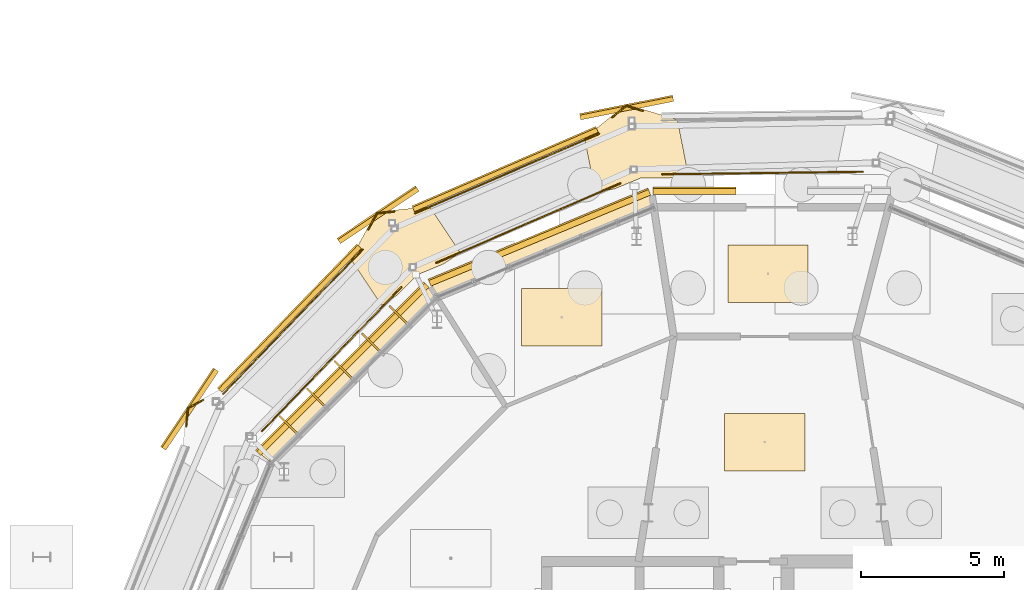
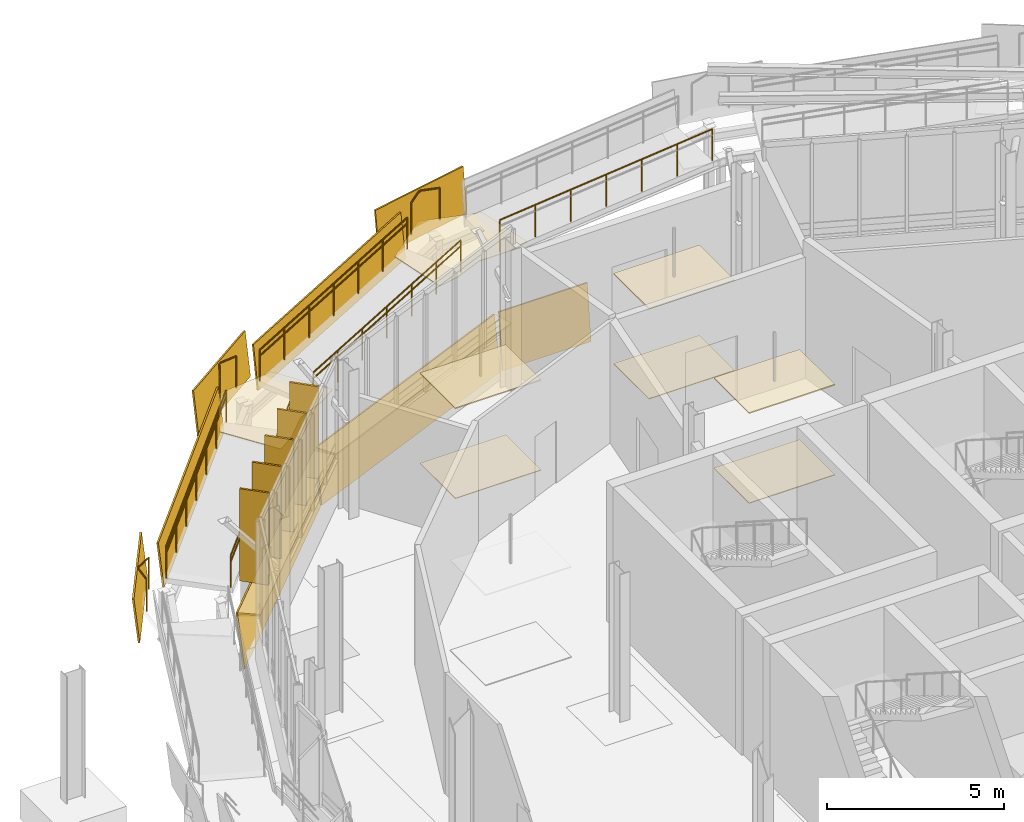
# One storey, part 113 of 119: 18 coverings, 15 railings, 5 shading devices.
"""IFC4 building model written with IfcOpenShell, lengths in metres."""

from ifc_helpers import new_model, si_unit, derived_unit, direction, frame, origin, origin_2d, place, context, subcontext, project, spatial, polyline, rectangle, circle, outline, extrude, material, layer, layer_set, type_object, element, save


model = new_model("IFC4")

# Units and contexts
model_context = context("Model", 3, precision=1e-05, world=origin(), true_north=direction((0.0, 1.0)))
body_context = subcontext(model_context, "Body", "Model", "MODEL_VIEW")
ifc_project = project(units=[si_unit("LENGTHUNIT", "METRE"), si_unit("AREAUNIT", "SQUARE_METRE"), si_unit("VOLUMEUNIT", "CUBIC_METRE"), si_unit("PLANEANGLEUNIT", "RADIAN"), si_unit("MASSUNIT", "GRAM", prefix="KILO"), derived_unit("THERMALTRANSMITTANCEUNIT", [(si_unit("MASSUNIT", "GRAM", prefix="KILO"), 1), (si_unit("TIMEUNIT", "SECOND"), -3), (si_unit("THERMODYNAMICTEMPERATUREUNIT", "KELVIN"), -1)])], contexts=[model_context])

# Site, building, storey
site_placement = place(None, origin())
site = spatial("IfcSite", under=ifc_project, at=site_placement, CompositionType="ELEMENT")
building_placement = place(site_placement, origin())
building = spatial("IfcBuilding", under=site, at=building_placement, Name="Makaiwela Harbour Ferry Terminal", CompositionType="ELEMENT")
storey_placement = place(building_placement, origin())
storey = spatial("IfcBuildingStorey", under=building, at=storey_placement, Name="L00", CompositionType="ELEMENT", Elevation=0.0)

# Coverings
ifc_material_1 = material(Name="White glazed marine ceramic rainscreen tile", Category="masonry")
ifc_layer_1 = layer(ifc_material_1, 0.054931640625)
ifc_layer_set_1 = layer_set([ifc_layer_1], Name="White glazed marine ceramic rainscreen tile")
covering_type_1 = type_object("IfcCoveringType", Name="ENV-CLD-CERAMIC", PredefinedType="CLADDING", material=ifc_layer_set_1)
covering_1_placement = place(storey_placement, frame((36.800048828125, 88.48583984375, -0.3798828125), z_axis=(0.0, -0.994046209643, 0.108959318533), x_axis=(-1.0, 0.0, 0.0)))
element("IfcCovering", 1, at=covering_1_placement, inside=storey, type_object=covering_type_1, Name="Ceramic Spandrel Facet CLD-0006", PredefinedType="CLADDING", context=body_context, shape_type="SweptSolid", body=[
    extrude(outline(polyline([(0.0, 0.0), (2.884765625, 0.0), (2.884765625, -1.9112817143914502), (0.0, -1.9112817143914502), (0.0, 0.0)])), origin(), (0.0, 0.0, -1.0), 0.054931640625),
])
covering_2_placement = place(storey_placement, frame((33.8291015625, 88.470703125, -0.3798828125), z_axis=(0.380394597045, -0.918386678573, 0.108930524461), x_axis=(-0.923884376918, -0.382671736724, 0.0)))
element("IfcCovering", 2, at=covering_2_placement, inside=storey, type_object=covering_type_1, Name="Ceramic Spandrel Facet CLD-0007", PredefinedType="CLADDING", context=body_context, shape_type="SweptSolid", body=[
    extrude(outline(polyline([(0.0, 0.0), (8.289400120797556, 5.551115123125783e-17), (8.2893124690243, -1.911275646754667), (-8.76517732554562e-05, -1.911275646754667), (0.0, 0.0)])), origin(), (0.0, 0.0, -1.0), 0.054931640625),
])
covering_3_placement = place(storey_placement, frame((0.0, 0.0, 1.47998046875)))
element("IfcCovering", 3, at=covering_3_placement, inside=storey, type_object=covering_type_1, Name="Ceramic Ring Sill Cap CLD-0008", PredefinedType="CLADDING", context=body_context, shape_type="SweptSolid", body=[
    extrude(outline(polyline([(33.74951171875, 88.6630859375), (26.091064453125, 85.490966796875), (26.41064453125, 84.92236328125), (33.92529296875, 88.034912109375), (33.74951171875, 88.6630859375)])), origin(), (0.0, 0.0, 1.0), 0.054931640625),
])
covering_4_placement = place(storey_placement, frame((26.106201171875, 85.25537109375, -0.3798828125), z_axis=(0.702892139248, -0.702892139248, 0.109019636607), x_axis=(-0.707106781187, -0.707106781187, 0.0)))
element("IfcCovering", 4, at=covering_4_placement, inside=storey, type_object=covering_type_1, Name="Ceramic Spandrel Facet CLD-0009", PredefinedType="CLADDING", context=body_context, shape_type="SweptSolid", body=[
    extrude(outline(polyline([(0.0, 0.0), (8.289514994876866, 0.0), (8.289342361385366, -1.9112944303154693), (0.00017263349150062335, -1.9112944303154693), (0.0, 0.0)])), origin(), (0.0, 0.0, -1.0), 0.054931640625),
])
covering_5_placement = place(storey_placement, frame((0.0, 0.0, 1.47998046875)))
element("IfcCovering", 5, at=covering_5_placement, inside=storey, type_object=covering_type_1, Name="Ceramic Ring Sill Cap CLD-0010", PredefinedType="CLADDING", context=body_context, shape_type="SweptSolid", body=[
    extrude(outline(polyline([(25.958740234375, 85.402587890625), (20.097412109375, 79.541259765625), (20.6103515625, 79.13818359375), (26.36181640625, 84.8896484375), (25.958740234375, 85.402587890625)])), origin(), (0.0, 0.0, 1.0), 0.054931640625),
])
covering_6_placement = place(storey_placement, frame((18.76416015625, 82.3193359375, 1.572509765625), z_axis=(0.826425523361, -0.552212703446, 0.109918080821), x_axis=(-0.555579254556, -0.831463584233, 1.114909e-06)))
element("IfcCovering", 6, at=covering_6_placement, inside=storey, type_object=covering_type_1, Name="Coiled Ramp Ceramic Fascia CLD-R0014", PredefinedType="CLADDING", context=body_context, shape_type="SweptSolid", body=[
    extrude(outline(polyline([(0.0, 0.0), (3.300102398660007, 0.0), (3.2999431511673416, -1.5292823090374439), (0.00017938601289810334, -1.5292897121475488), (0.0, 0.0)])), origin(), (0.0, 0.0, -1.0), 0.054931640625),
])
covering_7_placement = place(storey_placement, frame((18.886474609375, 81.591796875, 1.572509765625), z_axis=(0.707316582174, -0.698283580656, 0.11001496974), x_axis=(0.692435574788, 0.715723262213, 0.090957059621)))
element("IfcCovering", 7, at=covering_7_placement, inside=storey, type_object=covering_type_1, Name="Coiled Ramp Ceramic Fascia CLD-R0015", PredefinedType="CLADDING", context=body_context, shape_type="SweptSolid", body=[
    extrude(outline(polyline([(0.0, 0.0), (7.008369372110362, 2.220446049250313e-16), (7.146644393175227, 1.5230297974314162), (0.13810596941086395, 1.5230645274349104), (0.0, 0.0)])), origin(), (0.0, 0.0, -1.0), 0.054931640625),
])
covering_8_placement = place(storey_placement, frame((25.756591796875, 88.609130859375, 2.2099609375), z_axis=(0.552212703446, -0.826425523361, 0.109918080821), x_axis=(-0.83146399713, -0.555578636599, 5.605572e-06)))
element("IfcCovering", 8, at=covering_8_placement, inside=storey, type_object=covering_type_1, Name="Coiled Ramp Ceramic Fascia CLD-R0016", PredefinedType="CLADDING", context=body_context, shape_type="SweptSolid", body=[
    extrude(outline(polyline([(0.0, 0.0), (3.2999667592689956, 2.7755575615628914e-17), (3.2999333527897545, -1.5292673998434934), (3.3948345106822616e-05, -1.5293046214077506), (0.0, 0.0)])), origin(), (0.0, 0.0, -1.0), 0.054931640625),
])
covering_9_placement = place(storey_placement, frame((25.5927734375, 87.889404296875, 2.2099609375), z_axis=(0.385071296302, -0.916302386649, 0.110045595027), x_axis=(0.91413551032, 0.395080661508, 0.090926012093)))
element("IfcCovering", 9, at=covering_9_placement, inside=storey, type_object=covering_type_1, Name="Coiled Ramp Ceramic Fascia CLD-R0017", PredefinedType="CLADDING", context=body_context, shape_type="SweptSolid", body=[
    extrude(outline(polyline([(0.0, 0.0), (7.010657975652448, -1.1102230246251565e-16), (7.14899596776889, 1.5230387964196885), (0.13833799211644152, 1.5230387964196885), (0.0, 0.0)])), origin(), (0.0, 0.0, -1.0), 0.054931640625),
])
covering_10_placement = place(storey_placement, frame((34.63037109375, 91.73486328125, 2.847412109375), z_axis=(0.193910053797, -0.974844741443, 0.109893680973), x_axis=(-0.98078501504, -0.195091656081, 0.0)))
element("IfcCovering", 10, at=covering_10_placement, inside=storey, type_object=covering_type_1, Name="Coiled Ramp Ceramic Fascia CLD-R0018", PredefinedType="CLADDING", context=body_context, shape_type="SweptSolid", body=[
    extrude(outline(polyline([(0.0, 0.0), (3.299981357781899, 0.0), (3.300156921545571, -1.5292818593986046), (0.0001755637636711415, -1.5292818593986046), (0.0, 0.0)])), origin(), (0.0, 0.0, -1.0), 0.054931640625),
])

# Shading devices
ifc_material_2 = material(Name="Thermally modified Accoya timber and anodised aluminium", Category="wood")
ifc_layer_2 = layer(ifc_material_2, 0.06005859375)
ifc_layer_set_2 = layer_set([ifc_layer_2], Name="Thermally modified Accoya timber and anodised aluminium")
shading_device_type = type_object("IfcShadingDeviceType", Name="ENV-FIN-850", PredefinedType="USERDEFINED", material=ifc_layer_set_2)
for number, where, z_axis, x_axis, name in (
    (11, (25.022705078125, 84.3115234375, 1.626953125), (0.0, 0.0, 1.0), (-0.707106781187, 0.707106781187, 0.0), "Vertical Solar Fin SFN-0006"),
    (12, (24.064208984375, 83.352783203125, 1.626953125), (0.0, 0.0, 1.0), (-0.707106781187, 0.707106781187, 0.0), "Vertical Solar Fin SFN-0007"),
    (13, (23.105712890625, 82.394287109375, 1.626953125), (0.0, 0.0, 1.0), (-0.707106781187, 0.707106781187, 0.0), "Vertical Solar Fin SFN-0008"),
    (14, (22.147216796875, 81.435791015625, 1.626953125), (0.0, 0.0, 1.0), (-0.707106781187, 0.707106781187, 0.0), "Vertical Solar Fin SFN-0009"),
    (15, (21.1884765625, 80.477294921875, 1.626953125), (0.0, 0.0, 1.0), (-0.707106781187, 0.707106781187, 0.0), "Vertical Solar Fin SFN-0010"),
):
    element("IfcShadingDevice", number, at=place(storey_placement, frame(where, z_axis=z_axis, x_axis=x_axis)), inside=storey, type_object=shading_device_type, Name=name, ObjectType="SOLAR FIN", PredefinedType="USERDEFINED", context=body_context, shape_type="SweptSolid", body=[
        extrude(rectangle(XDim=0.85009765625, YDim=0.06005859375, at=origin_2d()), origin(), (0.0, 0.0, 1.0), 3.179931640625),
    ])

# Coverings
ifc_material_3 = material(Name="Thermally modified Accoya timber acoustic slat ceiling", Category="wood")
ifc_layer_3 = layer(ifc_material_3, 0.0400390625)
ifc_layer_set_3 = layer_set([ifc_layer_3], Name="Thermally modified Accoya timber acoustic slat ceiling")
covering_type_2 = type_object("IfcCoveringType", Name="INT-COV-CEIL", PredefinedType="CEILING", material=ifc_layer_set_3)
covering_11_placement = place(storey_placement, frame((0.0, 0.0, 3.10009765625)))
element("IfcCovering", 16, at=covering_11_placement, inside=storey, type_object=covering_type_2, Name="Acoustic Timber Ceiling CLG-002", PredefinedType="CEILING", context=body_context, shape_type="SweptSolid", body=[
    extrude(outline(polyline([(36.39990234375, 78.860107421875), (39.199951171875, 78.860107421875), (39.199951171875, 80.860107421875), (36.39990234375, 80.860107421875), (36.39990234375, 78.860107421875)])), origin(), (0.0, 0.0, 1.0), 0.039794921875),
])
covering_12_placement = place(storey_placement, frame((0.0, 0.0, 3.10009765625)))
element("IfcCovering", 17, at=covering_12_placement, inside=storey, type_object=covering_type_2, Name="Acoustic Timber Ceiling CLG-008", PredefinedType="CEILING", context=body_context, shape_type="SweptSolid", body=[
    extrude(outline(polyline([(36.518310546875, 84.728515625), (39.318115234375, 84.728515625), (39.318115234375, 86.728515625), (36.518310546875, 86.728515625), (36.518310546875, 84.728515625)])), origin(), (0.0, 0.0, 1.0), 0.039794921875),
])
covering_13_placement = place(storey_placement, frame((0.0, 0.0, 3.10009765625)))
element("IfcCovering", 18, at=covering_13_placement, inside=storey, type_object=covering_type_2, Name="Acoustic Timber Ceiling CLG-009", PredefinedType="CEILING", context=body_context, shape_type="SweptSolid", body=[
    extrude(outline(polyline([(29.326416015625, 83.2158203125), (32.12646484375, 83.2158203125), (32.12646484375, 85.2158203125), (29.326416015625, 85.2158203125), (29.326416015625, 83.2158203125)])), origin(), (0.0, 0.0, 1.0), 0.039794921875),
])
ifc_material_4 = material(Name="Honed coral-aggregate epoxy terrazzo flooring", Category="concrete")
ifc_layer_4 = layer(ifc_material_4, 0.02490234375)
ifc_layer_set_4 = layer_set([ifc_layer_4], Name="Honed coral-aggregate epoxy terrazzo flooring")
covering_type_3 = type_object("IfcCoveringType", Name="INT-COV-FLR", PredefinedType="FLOORING", material=ifc_layer_set_4)
covering_14_placement = place(storey_placement, frame((0.0, 0.0, 2.550048828125)))
element("IfcCovering", 19, at=covering_14_placement, inside=storey, type_object=covering_type_3, Name="Ramp Landing Terrazzo RMP-COIL-L00-L4", PredefinedType="FLOORING", context=body_context, shape_type="SweptSolid", body=[
    extrude(outline(polyline([(25.018798828125, 85.0048828125), (25.71484375, 85.700927734375), (25.715087890625, 85.700927734375), (25.715087890625, 85.701171875), (25.71533203125, 85.701416015625), (25.715576171875, 85.701416015625), (26.624755859375, 86.077880859375), (27.19384765625, 86.458251953125), (26.115966796875, 88.0712890625), (24.2607421875, 87.8779296875), (23.372314453125, 86.23779296875), (24.449951171875, 84.624755859375), (25.018798828125, 85.0048828125)])), origin(), (0.0, 0.0, 1.0), 0.02490234375),
])
covering_15_placement = place(storey_placement, frame((0.0, 0.0, 3.1875)))
element("IfcCovering", 20, at=covering_15_placement, inside=storey, type_object=covering_type_3, Name="Ramp Landing Terrazzo RMP-COIL-L00-L5", PredefinedType="FLOORING", context=body_context, shape_type="SweptSolid", body=[
    extrude(outline(polyline([(32.569580078125, 88.68701171875), (33.47900390625, 89.063720703125), (33.47900390625, 89.063720703125), (33.479248046875, 89.06396484375), (33.4794921875, 89.06396484375), (33.479736328125, 89.06396484375), (34.4638671875, 89.06396484375), (35.135009765625, 89.197509765625), (34.756591796875, 91.10009765625), (32.968505859375, 91.631591796875), (31.52001953125, 90.456298828125), (31.8984375, 88.5537109375), (32.569580078125, 88.68701171875)])), origin(), (0.0, 0.0, 1.0), 0.02490234375),
])
covering_16_placement = place(storey_placement, origin())
element("IfcCovering", 21, at=covering_16_placement, inside=storey, type_object=covering_type_3, Name="Terrazzo Flooring FLG-002", PredefinedType="FLOORING", context=body_context, shape_type="SweptSolid", body=[
    extrude(outline(polyline([(36.39990234375, 78.860107421875), (39.199951171875, 78.860107421875), (39.199951171875, 80.860107421875), (36.39990234375, 80.860107421875), (36.39990234375, 78.860107421875)])), origin(), (0.0, 0.0, 1.0), 0.02490234375),
])
covering_17_placement = place(storey_placement, origin())
element("IfcCovering", 22, at=covering_17_placement, inside=storey, type_object=covering_type_3, Name="Terrazzo Flooring FLG-008", PredefinedType="FLOORING", context=body_context, shape_type="SweptSolid", body=[
    extrude(outline(polyline([(36.518310546875, 84.728515625), (39.318115234375, 84.728515625), (39.318115234375, 86.728515625), (36.518310546875, 86.728515625), (36.518310546875, 84.728515625)])), origin(), (0.0, 0.0, 1.0), 0.02490234375),
])
covering_18_placement = place(storey_placement, origin())
element("IfcCovering", 23, at=covering_18_placement, inside=storey, type_object=covering_type_3, Name="Terrazzo Flooring FLG-009", PredefinedType="FLOORING", context=body_context, shape_type="SweptSolid", body=[
    extrude(outline(polyline([(29.326416015625, 83.2158203125), (32.12646484375, 83.2158203125), (32.12646484375, 85.2158203125), (29.326416015625, 85.2158203125), (29.326416015625, 83.2158203125)])), origin(), (0.0, 0.0, 1.0), 0.02490234375),
])

# Railings
ifc_material_5 = material(Name="Marine grade 316L brushed stainless steel", Category="steel")
railing_type_1 = type_object("IfcRailingType", Name="INT-RL-GRD110", PredefinedType="GUARDRAIL", material=ifc_material_5)
railing_1_placement = place(storey_placement, frame((20.278564453125, 80.2451171875, 1.91259765625)))
element("IfcRailing", 24, at=railing_1_placement, inside=storey, type_object=railing_type_1, Name="Ramp guardrail RL-0117", PredefinedType="GUARDRAIL", context=body_context, shape_type="SweptSolid", body=[
    extrude(circle(Radius=0.02392578125, at=origin_2d()), frame((0.0, 0.0, 1.09619140625), z_axis=(0.692444125132, 0.715714874017, 0.090957972064), x_axis=(-0.718694053453, 0.695326439546, 0.0)), (0.0, 0.0, 1.0), 7.00830078125),
    extrude(circle(Radius=0.02099609375, at=origin_2d()), origin(), (0.0, 0.0, 1.0), 1.072021484375),
    extrude(circle(Radius=0.02099609375, at=origin_2d()), frame((0.808837890625, 0.8359375, 0.106201171875)), (0.0, 0.0, 1.0), 1.072021484375),
    extrude(circle(Radius=0.02099609375, at=origin_2d()), frame((1.61767578125, 1.671875, 0.21240234375)), (0.0, 0.0, 1.0), 1.072021484375),
    extrude(circle(Radius=0.02099609375, at=origin_2d()), frame((2.42626953125, 2.5078125, 0.31884765625)), (0.0, 0.0, 1.0), 1.072021484375),
    extrude(circle(Radius=0.02099609375, at=origin_2d()), frame((3.235107421875, 3.343994140625, 0.425048828125)), (0.0, 0.0, 1.0), 1.072021484375),
    extrude(circle(Radius=0.02099609375, at=origin_2d()), frame((4.0439453125, 4.179931640625, 0.53125)), (0.0, 0.0, 1.0), 1.072021484375),
    extrude(circle(Radius=0.02099609375, at=origin_2d()), frame((4.852783203125, 5.015869140625, 0.637451171875)), (0.0, 0.0, 1.0), 1.072021484375),
])
railing_2_placement = place(storey_placement, frame((18.92724609375, 81.55224609375, 1.91259765625)))
element("IfcRailing", 25, at=railing_2_placement, inside=storey, type_object=railing_type_1, Name="Ramp guardrail RL-0119", PredefinedType="GUARDRAIL", context=body_context, shape_type="SweptSolid", body=[
    extrude(circle(Radius=0.02392578125, at=origin_2d()), frame((0.0, 0.0, 1.09619140625), z_axis=(0.692444993505, 0.715714600893, 0.090953510315), x_axis=(-0.718693485097, 0.695327027001, 0.0)), (0.0, 0.0, 1.0), 7.008544921875),
    extrude(circle(Radius=0.02099609375, at=origin_2d()), origin(), (0.0, 0.0, 1.0), 1.072021484375),
    extrude(circle(Radius=0.02099609375, at=origin_2d()), frame((0.808837890625, 0.8359375, 0.106201171875)), (0.0, 0.0, 1.0), 1.072021484375),
    extrude(circle(Radius=0.02099609375, at=origin_2d()), frame((1.61767578125, 1.672119140625, 0.21240234375)), (0.0, 0.0, 1.0), 1.072021484375),
    extrude(circle(Radius=0.02099609375, at=origin_2d()), frame((2.426513671875, 2.508056640625, 0.31884765625)), (0.0, 0.0, 1.0), 1.072021484375),
    extrude(circle(Radius=0.02099609375, at=origin_2d()), frame((3.2353515625, 3.343994140625, 0.425048828125)), (0.0, 0.0, 1.0), 1.072021484375),
    extrude(circle(Radius=0.02099609375, at=origin_2d()), frame((4.044189453125, 4.18017578125, 0.53125)), (0.0, 0.0, 1.0), 1.072021484375),
    extrude(circle(Radius=0.02099609375, at=origin_2d()), frame((4.85302734375, 5.01611328125, 0.637451171875)), (0.0, 0.0, 1.0), 1.072021484375),
])
railing_3_placement = place(storey_placement, frame((26.361083984375, 86.111572265625, 2.550048828125)))
element("IfcRailing", 26, at=railing_3_placement, inside=storey, type_object=railing_type_1, Name="Ramp guardrail RL-0121", PredefinedType="GUARDRAIL", context=body_context, shape_type="SweptSolid", body=[
    extrude(circle(Radius=0.02392578125, at=origin_2d()), frame((0.0, 0.0, 1.09619140625), z_axis=(0.914141233624, 0.395068084852, 0.090923117633), x_axis=(-0.396711296802, 0.917943433437, 0.0)), (0.0, 0.0, 1.0), 7.010986328125),
    extrude(circle(Radius=0.02099609375, at=origin_2d()), origin(), (0.0, 0.0, 1.0), 1.072021484375),
    extrude(circle(Radius=0.02099609375, at=origin_2d()), frame((1.068115234375, 0.461669921875, 0.106201171875)), (0.0, 0.0, 1.0), 1.072021484375),
    extrude(circle(Radius=0.02099609375, at=origin_2d()), frame((2.13623046875, 0.92333984375, 0.21240234375)), (0.0, 0.0, 1.0), 1.072021484375),
    extrude(circle(Radius=0.02099609375, at=origin_2d()), frame((3.20458984375, 1.384765625, 0.31884765625)), (0.0, 0.0, 1.0), 1.072021484375),
    extrude(circle(Radius=0.02099609375, at=origin_2d()), frame((4.272705078125, 1.846435546875, 0.425048828125)), (0.0, 0.0, 1.0), 1.072021484375),
    extrude(circle(Radius=0.02099609375, at=origin_2d()), frame((5.3408203125, 2.30810546875, 0.53125)), (0.0, 0.0, 1.0), 1.072021484375),
    extrude(circle(Radius=0.02099609375, at=origin_2d()), frame((6.408935546875, 2.769775390625, 0.637451171875)), (0.0, 0.0, 1.0), 1.072021484375),
])
railing_4_placement = place(storey_placement, frame((25.615478515625, 87.83740234375, 2.550048828125)))
element("IfcRailing", 27, at=railing_4_placement, inside=storey, type_object=railing_type_1, Name="Ramp guardrail RL-0123", PredefinedType="GUARDRAIL", context=body_context, shape_type="SweptSolid", body=[
    extrude(circle(Radius=0.02392578125, at=origin_2d()), frame((0.0, 0.0, 1.09619140625), z_axis=(0.91413551032, 0.395080661508, 0.090926012093), x_axis=(-0.396724031046, 0.917937929922, 0.0)), (0.0, 0.0, 1.0), 7.0107421875),
    extrude(circle(Radius=0.02099609375, at=origin_2d()), origin(), (0.0, 0.0, 1.0), 1.072021484375),
    extrude(circle(Radius=0.02099609375, at=origin_2d()), frame((1.068115234375, 0.461669921875, 0.106201171875)), (0.0, 0.0, 1.0), 1.072021484375),
    extrude(circle(Radius=0.02099609375, at=origin_2d()), frame((2.13623046875, 0.92333984375, 0.21240234375)), (0.0, 0.0, 1.0), 1.072021484375),
    extrude(circle(Radius=0.02099609375, at=origin_2d()), frame((3.204345703125, 1.384765625, 0.31884765625)), (0.0, 0.0, 1.0), 1.072021484375),
    extrude(circle(Radius=0.02099609375, at=origin_2d()), frame((4.2724609375, 1.846435546875, 0.425048828125)), (0.0, 0.0, 1.0), 1.072021484375),
    extrude(circle(Radius=0.02099609375, at=origin_2d()), frame((5.340576171875, 2.30810546875, 0.53125)), (0.0, 0.0, 1.0), 1.072021484375),
    extrude(circle(Radius=0.02099609375, at=origin_2d()), frame((6.40869140625, 2.769775390625, 0.637451171875)), (0.0, 0.0, 1.0), 1.072021484375),
])
railing_5_placement = place(storey_placement, frame((34.23095703125, 89.193603515625, 3.1875)))
element("IfcRailing", 28, at=railing_5_placement, inside=storey, type_object=railing_type_1, Name="Ramp guardrail RL-0125", PredefinedType="GUARDRAIL", context=body_context, shape_type="SweptSolid", body=[
    extrude(circle(Radius=0.02392578125, at=origin_2d()), frame((0.0, 0.0, 1.09619140625), z_axis=(0.995784905443, 0.012834700133, 0.090816807716), x_axis=(-0.012887958133, 0.999916946819, 0.0)), (0.0, 0.0, 1.0), 7.01904296875),
    extrude(circle(Radius=0.02099609375, at=origin_2d()), origin(), (0.0, 0.0, 1.0), 1.072021484375),
    extrude(circle(Radius=0.02099609375, at=origin_2d()), frame((1.1650390625, 0.01513671875, 0.106201171875)), (0.0, 0.0, 1.0), 1.072021484375),
    extrude(circle(Radius=0.02099609375, at=origin_2d()), frame((2.329833984375, 0.030029296875, 0.21240234375)), (0.0, 0.0, 1.0), 1.072021484375),
    extrude(circle(Radius=0.02099609375, at=origin_2d()), frame((3.49462890625, 0.044921875, 0.31884765625)), (0.0, 0.0, 1.0), 1.072021484375),
    extrude(circle(Radius=0.02099609375, at=origin_2d()), frame((4.65966796875, 0.06005859375, 0.425048828125)), (0.0, 0.0, 1.0), 1.072021484375),
    extrude(circle(Radius=0.02099609375, at=origin_2d()), frame((5.82470703125, 0.0751953125, 0.53125)), (0.0, 0.0, 1.0), 1.072021484375),
    extrude(circle(Radius=0.02099609375, at=origin_2d()), frame((6.989501953125, 0.090087890625, 0.637451171875)), (0.0, 0.0, 1.0), 1.072021484375),
])
railing_6_placement = place(storey_placement, frame((17.637939453125, 80.4072265625, 1.91259765625)))
element("IfcRailing", 29, at=railing_6_placement, inside=storey, type_object=railing_type_1, Name="Deck edge guardrail RL-0247", PredefinedType="GUARDRAIL", context=body_context, shape_type="SweptSolid", body=[
    extrude(circle(Radius=0.02392578125, at=origin_2d()), frame((0.0, 0.0, 1.09619140625), z_axis=(0.103511618385, 0.994628244551, 0.0), x_axis=(-0.994628244551, 0.103511618385, 0.0)), (0.0, 0.0, 1.0), 0.63916015625),
    extrude(circle(Radius=0.02099609375, at=origin_2d()), origin(), (0.0, 0.0, 1.0), 1.072021484375),
    extrude(circle(Radius=0.02099609375, at=origin_2d()), frame((0.066162109375, 0.6357421875, 0.0)), (0.0, 0.0, 1.0), 1.072021484375),
])
railing_7_placement = place(storey_placement, frame((17.7041015625, 81.04296875, 1.91259765625)))
element("IfcRailing", 30, at=railing_7_placement, inside=storey, type_object=railing_type_1, Name="Deck edge guardrail RL-0248", PredefinedType="GUARDRAIL", context=body_context, shape_type="SweptSolid", body=[
    extrude(circle(Radius=0.02392578125, at=origin_2d()), frame((0.0, 0.0, 1.09619140625), z_axis=(0.879299106259, 0.47626996728, 0.0), x_axis=(-0.47626996728, 0.879299106259, 0.0)), (0.0, 0.0, 1.0), 0.5966796875),
    extrude(circle(Radius=0.02099609375, at=origin_2d()), origin(), (0.0, 0.0, 1.0), 1.072021484375),
    extrude(circle(Radius=0.02099609375, at=origin_2d()), frame((0.524658203125, 0.2841796875, 0.0)), (0.0, 0.0, 1.0), 1.072021484375),
])
railing_8_placement = place(storey_placement, frame((23.984619140625, 87.273681640625, 2.550048828125)))
element("IfcRailing", 31, at=railing_8_placement, inside=storey, type_object=railing_type_1, Name="Deck edge guardrail RL-0249", PredefinedType="GUARDRAIL", context=body_context, shape_type="SweptSolid", body=[
    extrude(circle(Radius=0.02392578125, at=origin_2d()), frame((0.0, 0.0, 1.09619140625), z_axis=(0.476307758046, 0.879278635943, 0.0), x_axis=(-0.879278635943, 0.476307758046, 0.0)), (0.0, 0.0, 1.0), 0.63916015625),
    extrude(circle(Radius=0.02099609375, at=origin_2d()), origin(), (0.0, 0.0, 1.0), 1.072021484375),
    extrude(circle(Radius=0.02099609375, at=origin_2d()), frame((0.304443359375, 0.56201171875, 0.0)), (0.0, 0.0, 1.0), 1.072021484375),
])
railing_9_placement = place(storey_placement, frame((24.2890625, 87.835693359375, 2.550048828125)))
element("IfcRailing", 32, at=railing_9_placement, inside=storey, type_object=railing_type_1, Name="Deck edge guardrail RL-0250", PredefinedType="GUARDRAIL", context=body_context, shape_type="SweptSolid", body=[
    extrude(circle(Radius=0.02392578125, at=origin_2d()), frame((0.0, 0.0, 1.09619140625), z_axis=(0.994607885203, 0.103707061922, 0.0), x_axis=(-0.103707061922, 0.994607885203, 0.0)), (0.0, 0.0, 1.0), 0.597900390625),
    extrude(circle(Radius=0.02099609375, at=origin_2d()), origin(), (0.0, 0.0, 1.0), 1.072021484375),
    extrude(circle(Radius=0.02099609375, at=origin_2d()), frame((0.5947265625, 0.06201171875, 0.0)), (0.0, 0.0, 1.0), 1.072021484375),
])
railing_10_placement = place(storey_placement, frame((32.4833984375, 91.179931640625, 3.1875)))
element("IfcRailing", 33, at=railing_10_placement, inside=storey, type_object=railing_type_1, Name="Deck edge guardrail RL-0251", PredefinedType="GUARDRAIL", context=body_context, shape_type="SweptSolid", body=[
    extrude(circle(Radius=0.02392578125, at=origin_2d()), frame((0.0, 0.0, 1.09619140625), z_axis=(0.77662915087, 0.629958063699, 0.0), x_axis=(-0.629958063699, 0.77662915087, 0.0)), (0.0, 0.0, 1.0), 0.637451171875),
    extrude(circle(Radius=0.02099609375, at=origin_2d()), origin(), (0.0, 0.0, 1.0), 1.072021484375),
    extrude(circle(Radius=0.02099609375, at=origin_2d()), frame((0.4951171875, 0.401611328125, 0.0)), (0.0, 0.0, 1.0), 1.072021484375),
])
railing_11_placement = place(storey_placement, frame((32.978515625, 91.58154296875, 3.1875)))
element("IfcRailing", 34, at=railing_11_placement, inside=storey, type_object=railing_type_1, Name="Deck edge guardrail RL-0252", PredefinedType="GUARDRAIL", context=body_context, shape_type="SweptSolid", body=[
    extrude(circle(Radius=0.02392578125, at=origin_2d()), frame((0.0, 0.0, 1.09619140625), z_axis=(0.958605298499, -0.284738268749, 0.0), x_axis=(0.284738268749, 0.958605298499, 0.0)), (0.0, 0.0, 1.0), 0.60107421875),
    extrude(circle(Radius=0.02099609375, at=origin_2d()), origin(), (0.0, 0.0, 1.0), 1.072021484375),
    extrude(circle(Radius=0.02099609375, at=origin_2d()), frame((0.576171875, -0.171142578125, 0.0)), (0.0, 0.0, 1.0), 1.072021484375),
])
railing_type_2 = type_object("IfcRailingType", Name="INT-RL-HND090", PredefinedType="HANDRAIL", material=ifc_material_5)
railing_12_placement = place(storey_placement, frame((20.278564453125, 80.2451171875, 1.91259765625)))
element("IfcRailing", 35, at=railing_12_placement, inside=storey, type_object=railing_type_2, Name="Ramp handrail RL-0118", PredefinedType="HANDRAIL", context=body_context, shape_type="SweptSolid", body=[
    extrude(circle(Radius=0.02392578125, at=origin_2d()), frame((0.0, 0.0, 0.89111328125), z_axis=(0.692444125132, 0.715714874017, 0.090957972064), x_axis=(-0.718694053453, 0.695326439546, 0.0)), (0.0, 0.0, 1.0), 7.00830078125),
    extrude(circle(Radius=0.02099609375, at=origin_2d()), origin(), (0.0, 0.0, 1.0), 0.866943359375),
    extrude(circle(Radius=0.02099609375, at=origin_2d()), frame((0.808837890625, 0.8359375, 0.106201171875)), (0.0, 0.0, 1.0), 0.866943359375),
    extrude(circle(Radius=0.02099609375, at=origin_2d()), frame((1.61767578125, 1.671875, 0.21240234375)), (0.0, 0.0, 1.0), 0.866943359375),
    extrude(circle(Radius=0.02099609375, at=origin_2d()), frame((2.42626953125, 2.5078125, 0.31884765625)), (0.0, 0.0, 1.0), 0.866943359375),
    extrude(circle(Radius=0.02099609375, at=origin_2d()), frame((3.235107421875, 3.343994140625, 0.425048828125)), (0.0, 0.0, 1.0), 0.866943359375),
    extrude(circle(Radius=0.02099609375, at=origin_2d()), frame((4.0439453125, 4.179931640625, 0.53125)), (0.0, 0.0, 1.0), 0.866943359375),
    extrude(circle(Radius=0.02099609375, at=origin_2d()), frame((4.852783203125, 5.015869140625, 0.637451171875)), (0.0, 0.0, 1.0), 0.866943359375),
])
railing_13_placement = place(storey_placement, frame((18.92724609375, 81.55224609375, 1.91259765625)))
element("IfcRailing", 36, at=railing_13_placement, inside=storey, type_object=railing_type_2, Name="Ramp handrail RL-0120", PredefinedType="HANDRAIL", context=body_context, shape_type="SweptSolid", body=[
    extrude(circle(Radius=0.02392578125, at=origin_2d()), frame((0.0, 0.0, 0.89111328125), z_axis=(0.692444993505, 0.715714600893, 0.090953510315), x_axis=(-0.718693485097, 0.695327027001, 0.0)), (0.0, 0.0, 1.0), 7.008544921875),
    extrude(circle(Radius=0.02099609375, at=origin_2d()), origin(), (0.0, 0.0, 1.0), 0.866943359375),
    extrude(circle(Radius=0.02099609375, at=origin_2d()), frame((0.808837890625, 0.8359375, 0.106201171875)), (0.0, 0.0, 1.0), 0.866943359375),
    extrude(circle(Radius=0.02099609375, at=origin_2d()), frame((1.61767578125, 1.672119140625, 0.21240234375)), (0.0, 0.0, 1.0), 0.866943359375),
    extrude(circle(Radius=0.02099609375, at=origin_2d()), frame((2.426513671875, 2.508056640625, 0.31884765625)), (0.0, 0.0, 1.0), 0.866943359375),
    extrude(circle(Radius=0.02099609375, at=origin_2d()), frame((3.2353515625, 3.343994140625, 0.425048828125)), (0.0, 0.0, 1.0), 0.866943359375),
    extrude(circle(Radius=0.02099609375, at=origin_2d()), frame((4.044189453125, 4.18017578125, 0.53125)), (0.0, 0.0, 1.0), 0.866943359375),
    extrude(circle(Radius=0.02099609375, at=origin_2d()), frame((4.85302734375, 5.01611328125, 0.637451171875)), (0.0, 0.0, 1.0), 0.866943359375),
])
railing_14_placement = place(storey_placement, frame((26.361083984375, 86.111572265625, 2.550048828125)))
element("IfcRailing", 37, at=railing_14_placement, inside=storey, type_object=railing_type_2, Name="Ramp handrail RL-0122", PredefinedType="HANDRAIL", context=body_context, shape_type="SweptSolid", body=[
    extrude(circle(Radius=0.02392578125, at=origin_2d()), frame((0.0, 0.0, 0.89111328125), z_axis=(0.914141233624, 0.395068084852, 0.090923117633), x_axis=(-0.396711296802, 0.917943433437, 0.0)), (0.0, 0.0, 1.0), 7.010986328125),
    extrude(circle(Radius=0.02099609375, at=origin_2d()), origin(), (0.0, 0.0, 1.0), 0.866943359375),
    extrude(circle(Radius=0.02099609375, at=origin_2d()), frame((1.068115234375, 0.461669921875, 0.106201171875)), (0.0, 0.0, 1.0), 0.866943359375),
    extrude(circle(Radius=0.02099609375, at=origin_2d()), frame((2.13623046875, 0.92333984375, 0.21240234375)), (0.0, 0.0, 1.0), 0.866943359375),
    extrude(circle(Radius=0.02099609375, at=origin_2d()), frame((3.20458984375, 1.384765625, 0.31884765625)), (0.0, 0.0, 1.0), 0.866943359375),
    extrude(circle(Radius=0.02099609375, at=origin_2d()), frame((4.272705078125, 1.846435546875, 0.425048828125)), (0.0, 0.0, 1.0), 0.866943359375),
    extrude(circle(Radius=0.02099609375, at=origin_2d()), frame((5.3408203125, 2.30810546875, 0.53125)), (0.0, 0.0, 1.0), 0.866943359375),
    extrude(circle(Radius=0.02099609375, at=origin_2d()), frame((6.408935546875, 2.769775390625, 0.637451171875)), (0.0, 0.0, 1.0), 0.866943359375),
])
railing_15_placement = place(storey_placement, frame((25.615478515625, 87.83740234375, 2.550048828125)))
element("IfcRailing", 38, at=railing_15_placement, inside=storey, type_object=railing_type_2, Name="Ramp handrail RL-0124", PredefinedType="HANDRAIL", context=body_context, shape_type="SweptSolid", body=[
    extrude(circle(Radius=0.02392578125, at=origin_2d()), frame((0.0, 0.0, 0.89111328125), z_axis=(0.91413551032, 0.395080661508, 0.090926012093), x_axis=(-0.396724031046, 0.917937929922, 0.0)), (0.0, 0.0, 1.0), 7.0107421875),
    extrude(circle(Radius=0.02099609375, at=origin_2d()), origin(), (0.0, 0.0, 1.0), 0.866943359375),
    extrude(circle(Radius=0.02099609375, at=origin_2d()), frame((1.068115234375, 0.461669921875, 0.106201171875)), (0.0, 0.0, 1.0), 0.866943359375),
    extrude(circle(Radius=0.02099609375, at=origin_2d()), frame((2.13623046875, 0.92333984375, 0.21240234375)), (0.0, 0.0, 1.0), 0.866943359375),
    extrude(circle(Radius=0.02099609375, at=origin_2d()), frame((3.204345703125, 1.384765625, 0.31884765625)), (0.0, 0.0, 1.0), 0.866943359375),
    extrude(circle(Radius=0.02099609375, at=origin_2d()), frame((4.2724609375, 1.846435546875, 0.425048828125)), (0.0, 0.0, 1.0), 0.866943359375),
    extrude(circle(Radius=0.02099609375, at=origin_2d()), frame((5.340576171875, 2.30810546875, 0.53125)), (0.0, 0.0, 1.0), 0.866943359375),
    extrude(circle(Radius=0.02099609375, at=origin_2d()), frame((6.40869140625, 2.769775390625, 0.637451171875)), (0.0, 0.0, 1.0), 0.866943359375),
])

save(model, "model.ifc")
